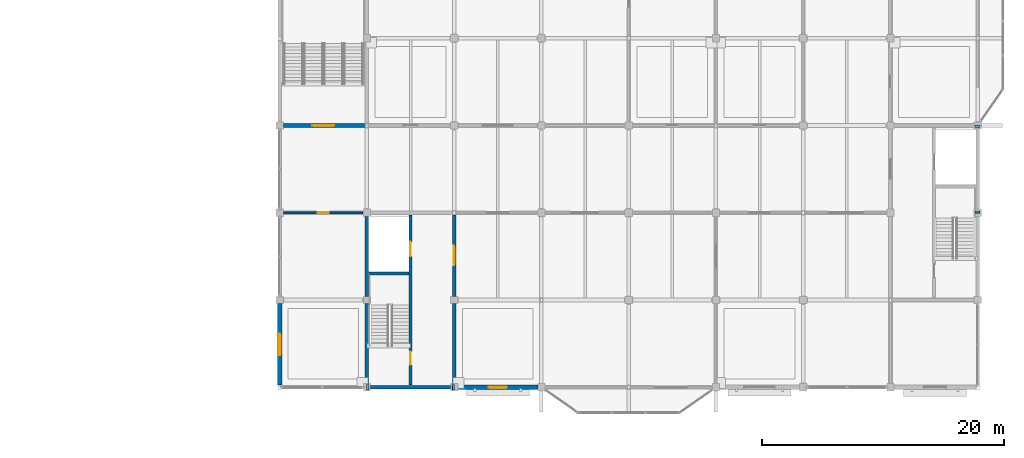
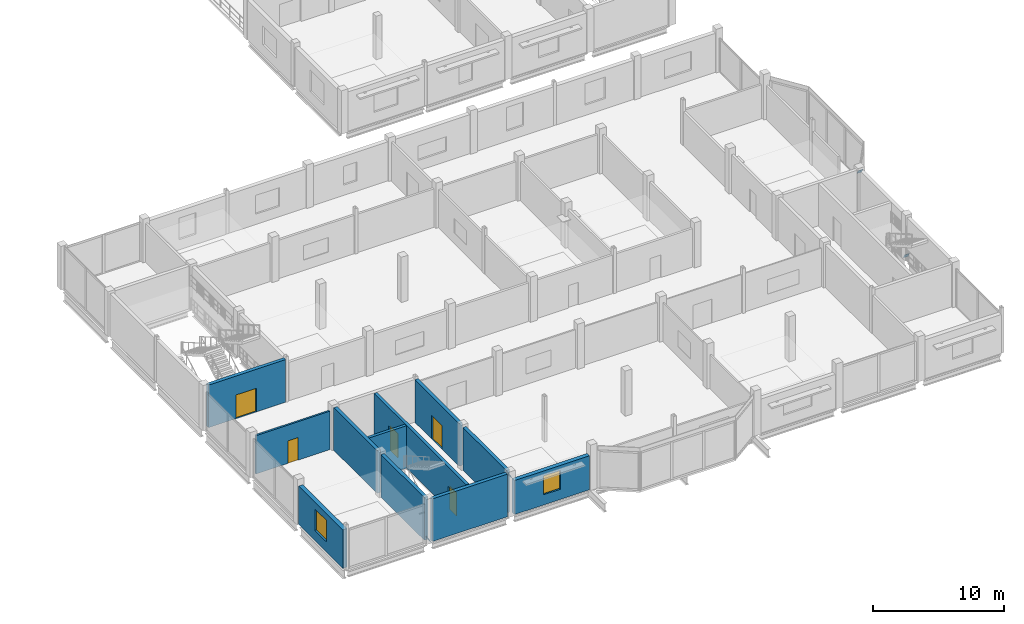
# One storey, part 35 of 51: 11 walls, 5 doors, 4 plates, 2 windows, 7 openings.
"""IFC4 building model written with IfcOpenShell, lengths in metres."""

from ifc_helpers import new_model, si_unit, direction, frame, frame_2d, origin, origin_2d, place, context, subcontext, project, spatial, rectangle, extrude, material, layer, layer_set, type_object, element, fill, save


model = new_model("IFC4")

# Units and contexts
model_context = context("Model", 3, precision=1e-05, world=origin(), true_north=direction((0.0, 1.0)))
body_context = subcontext(model_context, "Body", "Model", "MODEL_VIEW")
ifc_project = project(units=[si_unit("LENGTHUNIT", "METRE"), si_unit("AREAUNIT", "SQUARE_METRE"), si_unit("VOLUMEUNIT", "CUBIC_METRE"), si_unit("PLANEANGLEUNIT", "RADIAN"), si_unit("MASSUNIT", "GRAM", prefix="KILO")], contexts=[model_context])

# Site, building, storey
site_placement = place(None, origin())
site = spatial("IfcSite", under=ifc_project, at=site_placement, CompositionType="ELEMENT")
building_placement = place(site_placement, origin())
building = spatial("IfcBuilding", under=site, at=building_placement, Name="Vesperath Aquatics Centre", CompositionType="ELEMENT")
storey_placement = place(building_placement, frame((0.0, 0.0, 15.0)))
storey = spatial("IfcBuildingStorey", under=building, at=storey_placement, Name="L03", CompositionType="ELEMENT", Elevation=15.0)

# Plates
ifc_material_1 = material(Name="Steel Q355D", Category="steel")
ifc_layer_1 = layer(ifc_material_1, 0.02392578125)
ifc_layer_set_1 = layer_set([ifc_layer_1], Name="Steel Q355D")
plate_type = type_object("IfcPlateType", Name="PT-TN04", PredefinedType="SHEET", material=ifc_layer_set_1)
for number, where, z_axis, x_axis, name in (
    (1, (122.4501953125, 0.0, 0.175048828125), (0.8944271912, 0.0, 0.4472135951), (0.0, 1.0, 0.0), "Truss Node Cap Plate TN04"),
    (2, (129.5283203125, 0.0, 3.714111328125), (0.8944271912, 0.0, 0.4472135951), (0.0, 1.0, 0.0), "Truss Node Cap Plate TN04"),
    (3, (172.800048828125, 14.4501953125, 0.175048828125), (0.0, 0.8944271912, 0.4472135951), (-1.0, 0.0, 0.0), "Truss Node Cap Plate TN04"),
    (4, (172.800048828125, 21.5283203125, 3.714111328125), (0.0, 0.8944271912, 0.4472135951), (-1.0, 0.0, 0.0), "Truss Node Cap Plate TN04"),
):
    element("IfcPlate", number, at=place(storey_placement, frame(where, z_axis=z_axis, x_axis=x_axis)), inside=storey, type_object=plate_type, Name=name, PredefinedType="SHEET", context=body_context, shape_type="SweptSolid", body=[
        extrude(rectangle(XDim=0.419921875, YDim=0.419921875, at=origin_2d()), origin(), (0.0, 0.0, 1.0), 0.02392578125),
    ])

# Wall, opening, window
ifc_material_2 = material(Name="Red-terracotta brick insulated cavity wall", Category="masonry")
ifc_layer_2 = layer(ifc_material_2, 0.3798828125)
ifc_layer_set_2 = layer_set([ifc_layer_2], Name="Red-terracotta brick insulated cavity wall")
wall_type_1 = type_object("IfcWallType", Name="WL-EW02", PredefinedType="SOLIDWALL", material=ifc_layer_set_2)
wall_1_placement = place(storey_placement, frame((115.199951171875, 0.175048828125, 0.0), z_axis=(0.0, 0.0, 1.0), x_axis=(0.0, 1.0, 0.0)))
wall_1 = element("IfcWall", 5, at=wall_1_placement, inside=storey, type_object=wall_type_1, Name="Exterior Wall EW02 L03_W_16_00", PredefinedType="SOLIDWALL", context=body_context, shape_type="SweptSolid", body=[
    extrude(rectangle(XDim=6.724853515625, YDim=0.3798828125, at=frame_2d((3.3623046875, 0.0))), origin(), (0.0, 0.0, 1.0), 3.570068359375),
])
opening_1_placement = place(wall_1_placement, frame((2.462890625, 0.0, 0.949951171875)))
opening_1 = element("IfcOpeningElement", 6, at=opening_1_placement, cuts=wall_1, Name="Opening W07", PredefinedType="OPENING", context=body_context, shape_type="SweptSolid", body=[
    extrude(rectangle(XDim=1.800048828125, YDim=2.0, at=frame_2d((0.89990234375, 1.0))), frame((0.0, 0.204833984375, 0.0), z_axis=(0.0, -1.0, 0.0), x_axis=(1.0, 0.0, 0.0)), (0.0, 0.0, 1.0), 0.40966796875),
])
ifc_material_3 = material(Name="Thermally broken aluminium triple-glazed window", Category="aluminium")
window_type_1 = type_object("IfcWindowType", Name="WN-W07", PartitioningType="SINGLE_PANEL", PredefinedType="WINDOW", material=ifc_material_3)
window_1_placement = place(opening_1_placement, origin())
window_1 = element("IfcWindow", 7, at=window_1_placement, inside=storey, type_object=window_type_1, Name="Deep-Reveal Casement Window W07 L03_W_16_00", OverallHeight=2.0, OverallWidth=1.800048828125, PartitioningType="SINGLE_PANEL", PredefinedType="WINDOW", context=body_context, shape_type="SweptSolid", body=[
    extrude(rectangle(XDim=1.800048828125, YDim=2.0, at=frame_2d((0.89990234375, 1.0))), frame((0.0, 0.030029296875, 0.0), z_axis=(0.0, -1.0, 0.0), x_axis=(1.0, 0.0, 0.0)), (0.0, 0.0, 1.0), 0.06005859375),
])
fill(opening_1, window_1)

ifc_material_4 = material(Name="Glazed majolica and brick insulated cavity wall", Category="masonry")
ifc_layer_3 = layer(ifc_material_4, 0.360107421875)
ifc_layer_set_3 = layer_set([ifc_layer_3], Name="Glazed majolica and brick insulated cavity wall")
wall_type_2 = type_object("IfcWallType", Name="WL-EW03", PredefinedType="SOLIDWALL", material=ifc_layer_set_3)
wall_2_placement = place(storey_placement, frame((129.89990234375, 0.0, 0.0), z_axis=(0.0, 0.0, 1.0), x_axis=(1.0, 0.0, 0.0)))
wall_2 = element("IfcWall", 8, at=wall_2_placement, inside=storey, type_object=wall_type_2, Name="Exterior Wall EW03 L03_S_18_00", PredefinedType="SOLIDWALL", context=body_context, shape_type="SweptSolid", body=[
    extrude(rectangle(XDim=6.60009765625, YDim=0.360107421875, at=frame_2d((3.300048828125, 0.0))), origin(), (0.0, 0.0, 1.0), 3.159912109375),
])
opening_2_placement = place(wall_2_placement, frame((2.550048828125, 0.0, 0.949951171875)))
opening_2 = element("IfcOpeningElement", 9, at=opening_2_placement, cuts=wall_2, Name="Opening W13", PredefinedType="OPENING", context=body_context, shape_type="SweptSolid", body=[
    extrude(rectangle(XDim=1.5, YDim=1.75, at=frame_2d((0.75, 0.875))), frame((0.0, 0.19482421875, 0.0), z_axis=(0.0, -1.0, 0.0), x_axis=(1.0, 0.0, 0.0)), (0.0, 0.0, 1.0), 0.389892578125),
])
window_type_2 = type_object("IfcWindowType", Name="WN-W13", PartitioningType="SINGLE_PANEL", PredefinedType="WINDOW", material=ifc_material_3)
window_2_placement = place(opening_2_placement, origin())
window_2 = element("IfcWindow", 10, at=window_2_placement, inside=storey, type_object=window_type_2, Name="Deep-Reveal Casement Window W13 L03_S_18_00", OverallHeight=1.75, OverallWidth=1.5, PartitioningType="SINGLE_PANEL", PredefinedType="WINDOW", context=body_context, shape_type="SweptSolid", body=[
    extrude(rectangle(XDim=1.5, YDim=1.75, at=frame_2d((0.75, 0.875))), frame((0.0, 0.030029296875, 0.0), z_axis=(0.0, -1.0, 0.0), x_axis=(1.0, 0.0, 0.0)), (0.0, 0.0, 1.0), 0.06005859375),
])
fill(opening_2, window_2)

# Wall, opening, door
ifc_material_5 = material(Name="Clinic acoustic partition", Category="gypsum")
ifc_layer_4 = layer(ifc_material_5, 0.159912109375)
ifc_layer_set_4 = layer_set([ifc_layer_4], Name="Clinic acoustic partition")
wall_type_3 = type_object("IfcWallType", Name="WL-IW04", PredefinedType="PARTITIONING", material=ifc_layer_set_4)
wall_3_placement = place(storey_placement, frame((115.550048828125, 14.39990234375, 0.0), z_axis=(0.0, 0.0, 1.0), x_axis=(1.0, 0.0, 0.0)))
wall_3 = element("IfcWall", 11, at=wall_3_placement, inside=storey, type_object=wall_type_3, Name="Interior Partition IW04 L03_AEROBIC-N1", PredefinedType="PARTITIONING", context=body_context, shape_type="SweptSolid", body=[
    extrude(rectangle(XDim=6.5, YDim=0.159912109375, at=frame_2d((3.25, 0.0))), origin(), (0.0, 0.0, 1.0), 3.570068359375),
])
opening_3_placement = place(wall_3_placement, frame((2.7900390625, 0.0, 0.0)))
opening_3 = element("IfcOpeningElement", 12, at=opening_3_placement, cuts=wall_3, Name="Opening D08", PredefinedType="OPENING", context=body_context, shape_type="SweptSolid", body=[
    extrude(rectangle(XDim=0.919921875, YDim=2.10009765625, at=frame_2d((0.4599609375, 1.050048828125))), frame((0.0, 0.0947265625, 0.0), z_axis=(0.0, -1.0, 0.0), x_axis=(1.0, 0.0, 0.0)), (0.0, 0.0, 1.0), 0.189697265625),
])
ifc_material_6 = material(Name="Moisture-resistant HPL washroom door", Category="wood")
door_type_1 = type_object("IfcDoorType", Name="DR-WC03", OperationType="NOTDEFINED", PredefinedType="DOOR", material=ifc_material_6)
door_1_placement = place(opening_3_placement, frame((0.919921875, 0.0, 0.0), z_axis=(0.0, 0.0, 1.0), x_axis=(-1.0, 0.0, 0.0)))
door_1 = element("IfcDoor", 13, at=door_1_placement, inside=storey, type_object=door_type_1, Name="High-Ceiling Aerobic Dance Studio Door D08", OperationType="SINGLE_SWING_LEFT", OverallHeight=2.10009765625, OverallWidth=0.919921875, PredefinedType="DOOR", context=body_context, shape_type="SweptSolid", body=[
    extrude(rectangle(XDim=0.919921875, YDim=2.10009765625, at=frame_2d((0.4599609375, 1.050048828125))), frame((0.0, 0.02490234375, 0.0), z_axis=(0.0, -1.0, 0.0), x_axis=(1.0, 0.0, 0.0)), (0.0, 0.0, 1.0), 0.050048828125),
])
fill(opening_3, door_1)

# Walls
ifc_material_7 = material(Name="Concrete C40", Category="concrete")
ifc_layer_5 = layer(ifc_material_7, 0.300048828125)
ifc_layer_set_5 = layer_set([ifc_layer_5], Name="Concrete C40")
wall_type_4 = type_object("IfcWallType", Name="WL-SW01", PredefinedType="SHEAR", material=ifc_layer_set_5)
wall_4_placement = place(storey_placement, frame((122.39990234375, 0.300048828125, 0.0), z_axis=(0.0, 0.0, 1.0), x_axis=(0.0, 1.0, 0.0)))
element("IfcWall", 14, at=wall_4_placement, inside=storey, type_object=wall_type_4, Name="Core C5 West-1 Shear Wall SW01 L03", PredefinedType="SHEAR", context=body_context, shape_type="SweptSolid", body=[
    extrude(rectangle(XDim=6.599853515625, YDim=0.300048828125, at=frame_2d((3.2998046875, 0.0))), origin(), (0.0, 0.0, 1.0), 3.9599609375),
])
wall_5_placement = place(storey_placement, frame((122.39990234375, 7.5, 0.0), z_axis=(0.0, 0.0, 1.0), x_axis=(0.0, 1.0, 0.0)))
element("IfcWall", 15, at=wall_5_placement, inside=storey, type_object=wall_type_4, Name="Core C5 West-2 Shear Wall SW01 L03", PredefinedType="SHEAR", context=body_context, shape_type="SweptSolid", body=[
    extrude(rectangle(XDim=6.60009765625, YDim=0.300048828125, at=frame_2d((3.300048828125, 0.0))), origin(), (0.0, 0.0, 1.0), 3.9599609375),
])
wall_6_placement = place(storey_placement, frame((129.60009765625, 0.300048828125, 0.0), z_axis=(0.0, 0.0, 1.0), x_axis=(0.0, 1.0, 0.0)))
element("IfcWall", 16, at=wall_6_placement, inside=storey, type_object=wall_type_4, Name="Core C5 East-1 Shear Wall SW01 L03", PredefinedType="SHEAR", context=body_context, shape_type="SweptSolid", body=[
    extrude(rectangle(XDim=6.599853515625, YDim=0.300048828125, at=frame_2d((3.2998046875, 0.0))), origin(), (0.0, 0.0, 1.0), 3.9599609375),
])

# Wall, opening, door
wall_7_placement = place(storey_placement, frame((129.60009765625, 7.5, 0.0), z_axis=(0.0, 0.0, 1.0), x_axis=(0.0, 1.0, 0.0)))
wall_7 = element("IfcWall", 17, at=wall_7_placement, inside=storey, type_object=wall_type_4, Name="Core C5 East-2 Shear Wall SW01 L03", PredefinedType="SHEAR", context=body_context, shape_type="SweptSolid", body=[
    extrude(rectangle(XDim=6.72509765625, YDim=0.300048828125, at=frame_2d((3.362548828125, 0.0))), origin(), (0.0, 0.0, 1.0), 3.9599609375),
])
opening_4_placement = place(wall_7_placement, frame((2.56201171875, 0.0, 0.0)))
opening_4 = element("IfcOpeningElement", 18, at=opening_4_placement, cuts=wall_7, Name="Opening D02", PredefinedType="OPENING", context=body_context, shape_type="SweptSolid", body=[
    extrude(rectangle(XDim=1.60009765625, YDim=2.199951171875, at=frame_2d((0.800048828125, 1.10009765625))), frame((0.0, 0.1650390625, 0.0), z_axis=(0.0, -1.0, 0.0), x_axis=(1.0, 0.0, 0.0)), (0.0, 0.0, 1.0), 0.329833984375),
])
ifc_material_8 = material(Name="Glazed fire-rated lobby double door", Category="steel")
door_type_2 = type_object("IfcDoorType", Name="DR-FD02", OperationType="DOUBLE_SWING_LEFT", PredefinedType="DOOR", material=ifc_material_8)
door_2_placement = place(opening_4_placement, frame((1.60009765625, 0.0, 0.0), z_axis=(0.0, 0.0, 1.0), x_axis=(-1.0, 0.0, 0.0)))
door_2 = element("IfcDoor", 19, at=door_2_placement, inside=storey, type_object=door_type_2, Name="Core C5 Lobby Fire Door D02 L03", OperationType="DOUBLE_SWING_LEFT", OverallHeight=2.199951171875, OverallWidth=1.60009765625, PredefinedType="DOOR", context=body_context, shape_type="SweptSolid", body=[
    extrude(rectangle(XDim=1.60009765625, YDim=2.199951171875, at=frame_2d((0.800048828125, 1.10009765625))), frame((0.0, 0.02490234375, 0.0), z_axis=(0.0, -1.0, 0.0), x_axis=(1.0, 0.0, 0.0)), (0.0, 0.0, 1.0), 0.050048828125),
])
fill(opening_4, door_2)

wall_8_placement = place(storey_placement, frame((115.5, 21.60009765625, 0.0), z_axis=(0.0, 0.0, 1.0), x_axis=(1.0, 0.0, 0.0)))
wall_8 = element("IfcWall", 20, at=wall_8_placement, inside=storey, type_object=wall_type_4, Name="Core C7 South Shear Wall SW01 L03", PredefinedType="SHEAR", context=body_context, shape_type="SweptSolid", body=[
    extrude(rectangle(XDim=6.77490234375, YDim=0.300048828125, at=frame_2d((3.387451171875, 0.0))), origin(), (0.0, 0.0, 1.0), 3.9599609375),
])
opening_5_placement = place(wall_8_placement, frame((2.39990234375, 0.0, 0.0)))
opening_5 = element("IfcOpeningElement", 21, at=opening_5_placement, cuts=wall_8, Name="Opening D03", PredefinedType="OPENING", context=body_context, shape_type="SweptSolid", body=[
    extrude(rectangle(XDim=1.800048828125, YDim=2.199951171875, at=frame_2d((0.89990234375, 1.10009765625))), frame((0.0, 0.1650390625, 0.0), z_axis=(0.0, -1.0, 0.0), x_axis=(1.0, 0.0, 0.0)), (0.0, 0.0, 1.0), 0.329833984375),
])
ifc_material_9 = material(Name="Corridor smoke-control double fire door", Category="steel")
door_type_3 = type_object("IfcDoorType", Name="DR-FD03", OperationType="DOUBLE_SWING_LEFT", PredefinedType="DOOR", material=ifc_material_9)
door_3_placement = place(opening_5_placement, origin())
door_3 = element("IfcDoor", 22, at=door_3_placement, inside=storey, type_object=door_type_3, Name="Stair ST7 Fire Door D03 L03", OperationType="DOUBLE_SWING_LEFT", OverallHeight=2.199951171875, OverallWidth=1.800048828125, PredefinedType="DOOR", context=body_context, shape_type="SweptSolid", body=[
    extrude(rectangle(XDim=1.800048828125, YDim=2.199951171875, at=frame_2d((0.89990234375, 1.10009765625))), frame((0.0, 0.02490234375, 0.0), z_axis=(0.0, -1.0, 0.0), x_axis=(1.0, 0.0, 0.0)), (0.0, 0.0, 1.0), 0.050048828125),
])
fill(opening_5, door_3)

# Wall, openings, doors
ifc_layer_6 = layer(ifc_material_7, 0.260009765625)
ifc_layer_set_6 = layer_set([ifc_layer_6], Name="Concrete C40")
wall_type_5 = type_object("IfcWallType", Name="WL-SW03", PredefinedType="SHEAR", material=ifc_layer_set_6)
wall_9_placement = place(storey_placement, frame((126.0, 0.199951171875, 0.0), z_axis=(0.0, 0.0, 1.0), x_axis=(0.0, 1.0, 0.0)))
wall_9 = element("IfcWall", 23, at=wall_9_placement, inside=storey, type_object=wall_type_5, Name="Core C5 Spine Shear Wall SW03 L03", PredefinedType="SHEAR", context=body_context, shape_type="SweptSolid", body=[
    extrude(rectangle(XDim=14.0, YDim=0.260009765625, at=frame_2d((7.0, 0.0))), origin(), (0.0, 0.0, 1.0), 3.9599609375),
])
opening_6_placement = place(wall_9_placement, frame((1.64990234375, 0.0, 0.0)))
opening_6 = element("IfcOpeningElement", 24, at=opening_6_placement, cuts=wall_9, Name="Opening D01", PredefinedType="OPENING", context=body_context, shape_type="SweptSolid", body=[
    extrude(rectangle(XDim=1.10009765625, YDim=2.14990234375, at=frame_2d((0.550048828125, 1.074951171875))), frame((0.0, 0.14501953125, 0.0), z_axis=(0.0, -1.0, 0.0), x_axis=(1.0, 0.0, 0.0)), (0.0, 0.0, 1.0), 0.289794921875),
])
opening_7_placement = place(wall_9_placement, frame((10.60009765625, 0.0, 0.0)))
opening_7 = element("IfcOpeningElement", 25, at=opening_7_placement, cuts=wall_9, Name="Opening LD03", PredefinedType="OPENING", context=body_context, shape_type="SweptSolid", body=[
    extrude(rectangle(XDim=1.199951171875, YDim=2.25, at=frame_2d((0.60009765625, 1.125))), frame((0.0, 0.14501953125, 0.0), z_axis=(0.0, -1.0, 0.0), x_axis=(1.0, 0.0, 0.0)), (0.0, 0.0, 1.0), 0.289794921875),
])
ifc_material_10 = material(Name="Steel-faced acoustic fire door", Category="steel")
door_type_4 = type_object("IfcDoorType", Name="DR-FD01", OperationType="NOTDEFINED", PredefinedType="DOOR", material=ifc_material_10)
door_4_placement = place(opening_6_placement, origin())
door_4 = element("IfcDoor", 26, at=door_4_placement, inside=storey, type_object=door_type_4, Name="Stair ST5 Fire Door D01 L03", OperationType="SINGLE_SWING_RIGHT", OverallHeight=2.14990234375, OverallWidth=1.10009765625, PredefinedType="DOOR", context=body_context, shape_type="SweptSolid", body=[
    extrude(rectangle(XDim=1.10009765625, YDim=2.14990234375, at=frame_2d((0.550048828125, 1.074951171875))), frame((0.0, 0.02490234375, 0.0), z_axis=(0.0, -1.0, 0.0), x_axis=(1.0, 0.0, 0.0)), (0.0, 0.0, 1.0), 0.050048828125),
])
fill(opening_6, door_4)
ifc_material_11 = material(Name="Firefighting stainless lift landing door", Category="steel")
door_type_5 = type_object("IfcDoorType", Name="DR-LD03", OperationType="SLIDING_TO_LEFT", PredefinedType="DOOR", material=ifc_material_11)
door_5_placement = place(opening_7_placement, frame((1.199951171875, 0.0, 0.0), z_axis=(0.0, 0.0, 1.0), x_axis=(-1.0, 0.0, 0.0)))
door_5 = element("IfcDoor", 27, at=door_5_placement, inside=storey, type_object=door_type_5, Name="Lift LFT-FF1 Sliding Landing Door LD03 L03", OperationType="SLIDING_TO_LEFT", OverallHeight=2.25, OverallWidth=1.199951171875, PredefinedType="DOOR", context=body_context, shape_type="SweptSolid", body=[
    extrude(rectangle(XDim=1.199951171875, YDim=2.25, at=frame_2d((0.60009765625, 1.125))), frame((0.0, 0.02490234375, 0.0), z_axis=(0.0, -1.0, 0.0), x_axis=(1.0, 0.0, 0.0)), (0.0, 0.0, 1.0), 0.050048828125),
])
fill(opening_7, door_5)

# Walls
ifc_layer_7 = layer(ifc_material_7, 0.25)
ifc_layer_set_7 = layer_set([ifc_layer_7], Name="Concrete C40")
wall_type_6 = type_object("IfcWallType", Name="WL-SW04", PredefinedType="SHEAR", material=ifc_layer_set_7)
wall_10_placement = place(storey_placement, frame((122.56005859375, 9.3798828125, 0.0), z_axis=(0.0, 0.0, 1.0), x_axis=(1.0, 0.0, 0.0)))
element("IfcWall", 28, at=wall_10_placement, inside=storey, type_object=wall_type_6, Name="Core C5 Lift Shaft Wall SW04 L03", PredefinedType="SHEAR", context=body_context, shape_type="SweptSolid", body=[
    extrude(rectangle(XDim=3.300048828125, YDim=0.25, at=frame_2d((1.64990234375, 0.0))), origin(), (0.0, 0.0, 1.0), 3.9599609375),
])
ifc_layer_8 = layer(ifc_material_7, 0.31005859375)
ifc_layer_set_8 = layer_set([ifc_layer_8], Name="Concrete C40")
wall_type_7 = type_object("IfcWallType", Name="WL-SW05", PredefinedType="SHEAR", material=ifc_layer_set_8)
wall_11_placement = place(storey_placement, frame((122.699951171875, 0.0, 0.0), z_axis=(0.0, 0.0, 1.0), x_axis=(1.0, 0.0, 0.0)))
element("IfcWall", 29, at=wall_11_placement, inside=storey, type_object=wall_type_7, Name="Core C5 South Shear Wall SW05 L03", PredefinedType="SHEAR", context=body_context, shape_type="SweptSolid", body=[
    extrude(rectangle(XDim=6.60009765625, YDim=0.31005859375, at=frame_2d((3.300048828125, 0.0))), origin(), (0.0, 0.0, 1.0), 3.9599609375),
])

save(model, "model.ifc")
